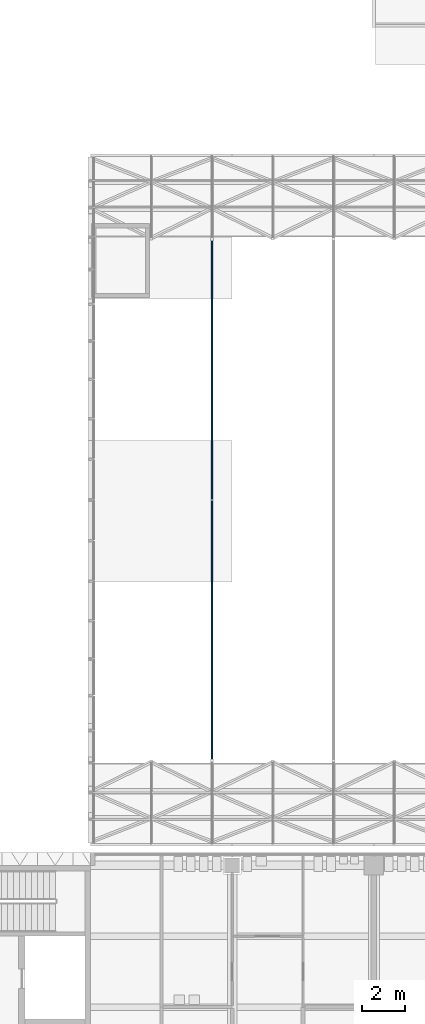
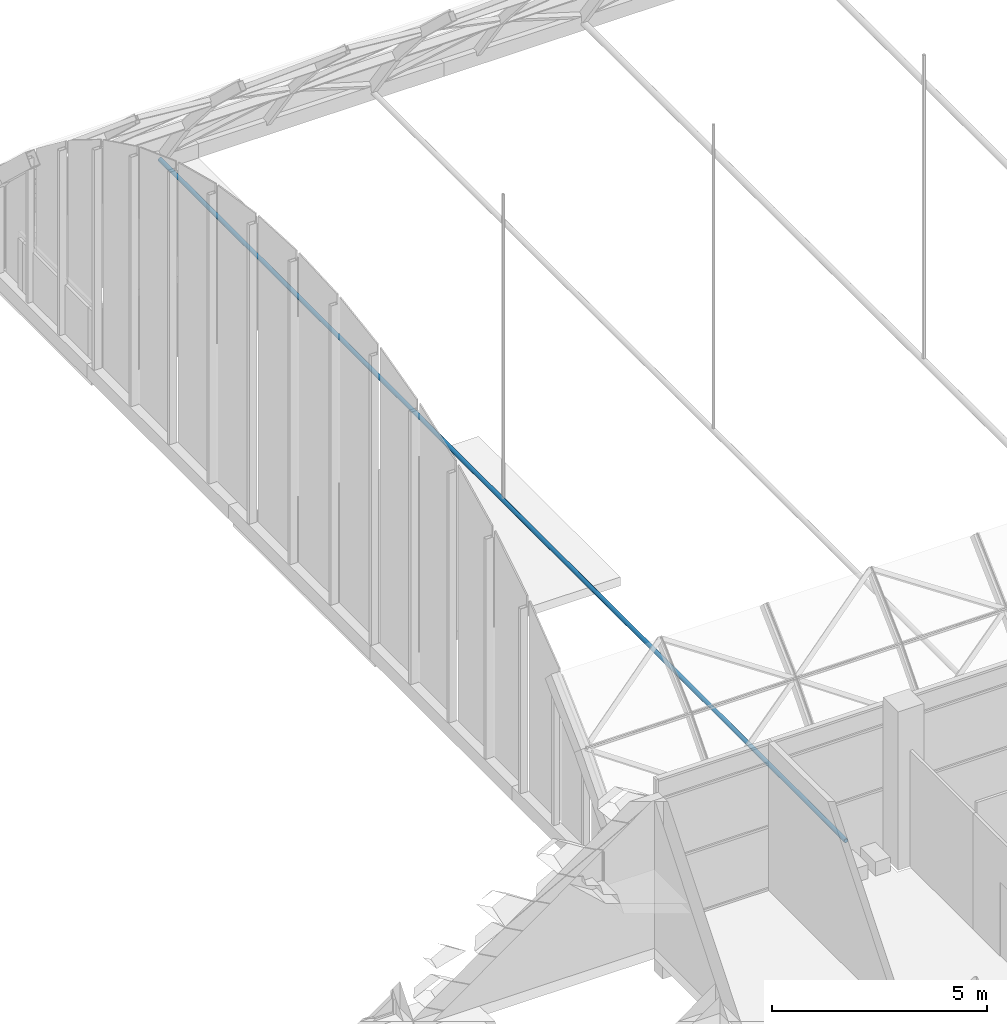
# One storey, part 18 of 109: 1 member.
"""IFC4 building model written with IfcOpenShell, lengths in metres."""

from ifc_helpers import new_model, si_unit, direction, frame, origin, origin_2d, place, context, subcontext, project, spatial, hollow_circle, extrude, material, material_profile, profile_set, type_object, element, save


model = new_model("IFC4")

# Units and contexts
model_context = context("Model", 3, precision=1e-05, world=origin(), true_north=direction((0.0, 1.0)))
body_context = subcontext(model_context, "Body", "Model", "MODEL_VIEW")
ifc_project = project(units=[si_unit("LENGTHUNIT", "METRE"), si_unit("AREAUNIT", "SQUARE_METRE"), si_unit("VOLUMEUNIT", "CUBIC_METRE"), si_unit("PLANEANGLEUNIT", "RADIAN"), si_unit("MASSUNIT", "GRAM", prefix="KILO")], contexts=[model_context])

# Site, building, storey
site_placement = place(None, origin())
site = spatial("IfcSite", under=ifc_project, at=site_placement, CompositionType="ELEMENT")
building_placement = place(site_placement, origin())
building = spatial("IfcBuilding", under=site, at=building_placement, Name="Lantern Court Research Institute", CompositionType="ELEMENT")
storey_placement = place(building_placement, frame((0.0, 0.0, 14.39990234375)))
storey = spatial("IfcBuildingStorey", under=building, at=storey_placement, Name="L03", CompositionType="ELEMENT", Elevation=14.39990234375)

# Member
ifc_material = material(Name="Structural steel S355", Category="steel")
ifc_material_profile = material_profile(ifc_material, hollow_circle(Radius=0.05712890625, WallThickness=0.00634765625, at=origin_2d()), Name="Gridshell end tie CHS 114.3 x 6.3")
ifc_profile_set = profile_set([ifc_material_profile], Name="Structural steel S355")
member_type = type_object("IfcMemberType", Name="Gridshell end tie CHS 114.3 x 6.3", PredefinedType="MEMBER", material=ifc_profile_set)
member_placement = place(storey_placement, frame((45.257080078125, 24.14990234375, 0.2001953125), z_axis=(0.0, 1.0, 0.0), x_axis=(-1.0, 0.0, 0.0)))
element("IfcMember", 1, at=member_placement, inside=storey, type_object=member_type, Name="Gridshell tie", PredefinedType="MEMBER", context=body_context, shape_type="SweptSolid", body=[
    extrude(hollow_circle(Radius=0.05712890625, WallThickness=0.00634765625, at=origin_2d()), origin(), (0.0, 0.0, 1.0), 31.9501953125),
])

save(model, "model.ifc")
